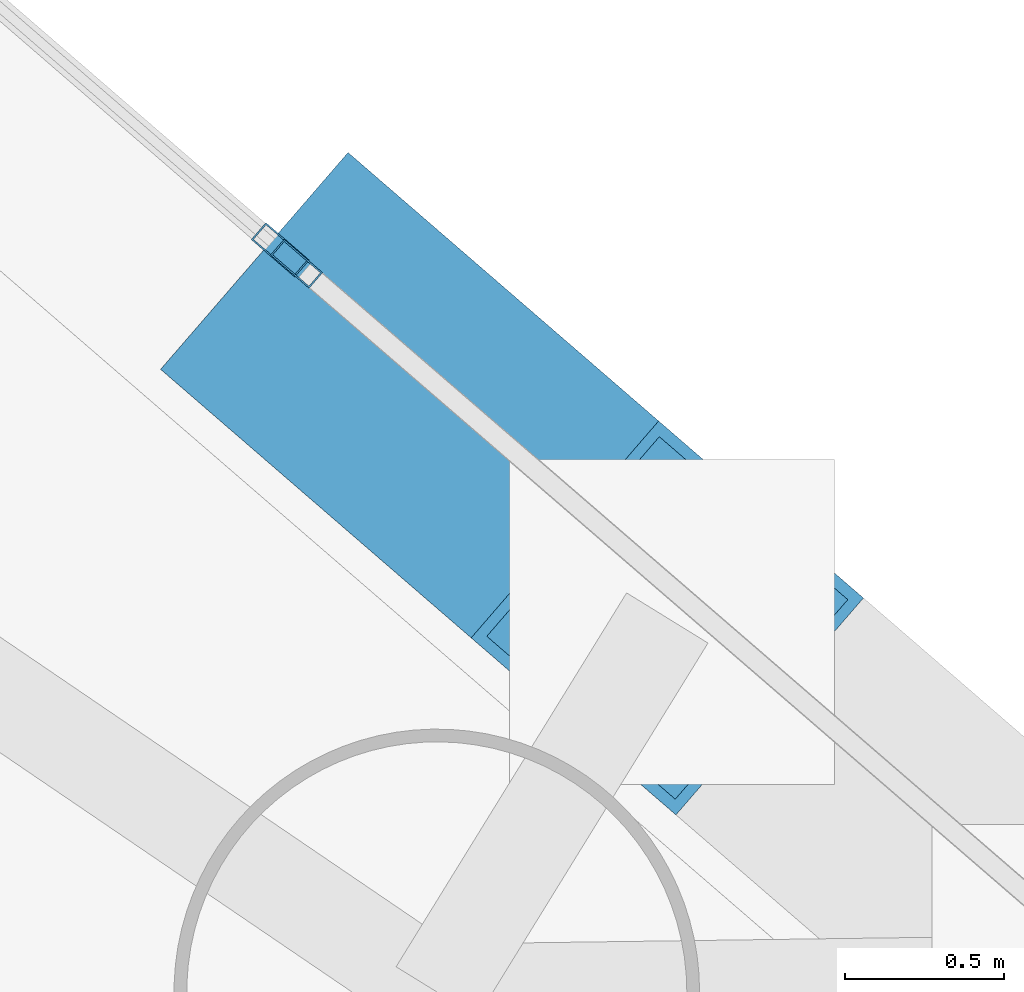
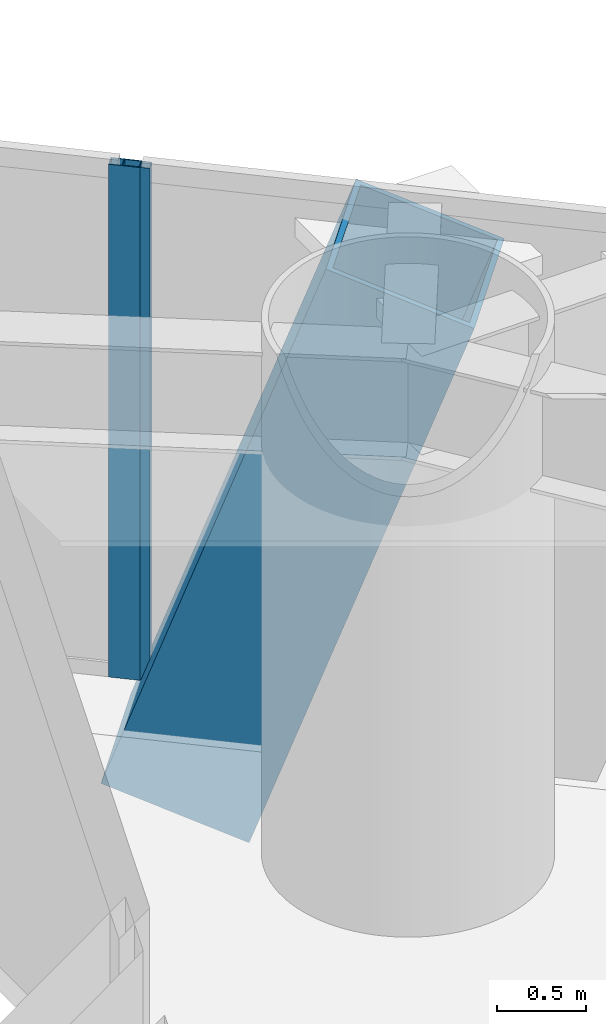
# One storey, part 12 of 23: 3 members, 2 elements without a shape of their own.
"""IFC4 building model written with IfcOpenShell, lengths in metres."""

import ifcopenshell
import ifcopenshell.guid

model = None  # the IFC model being written
_history = None  # IfcOwnerHistory: only IFC2X3 demands one
_inside = {}  # id of a spatial element -> (the spatial element, [elements in it])
_under = {}  # id of a project, library or spatial element -> (it, [spatial elements below it])
_declared = {}  # id of a project -> (the project, [libraries it declares])
_typed = {}  # id of a type object -> (the type object, [elements of that type])
_made_of = {}  # id of a material, layer set ... -> (it, [elements and type objects made of it])


def new_model(schema):
    """Start an empty IFC model of exactly this schema.

    Asked for "IFC4X3", IfcOpenShell would pick the latest addendum, in which some entities
    have other attributes; the version numbers below select the first issue.
    IFC2X3 requires an IfcOwnerHistory on every rooted entity: one is made here for all.
    """
    global model, _history
    if schema == "IFC4X3":
        model = ifcopenshell.file(schema_version=(4, 3, 0, 0))
    else:
        model = ifcopenshell.file(schema=schema)
    _inside.clear()
    _under.clear()
    _declared.clear()
    _typed.clear()
    _made_of.clear()
    _history = None
    if model.schema == "IFC2X3":
        org = make("IfcOrganization", Name="unknown")
        user = make(
            "IfcPersonAndOrganization",
            ThePerson=make("IfcPerson", FamilyName="unknown"),
            TheOrganization=org,
        )
        app = make(
            "IfcApplication",
            ApplicationDeveloper=org,
            Version="unknown",
            ApplicationFullName="unknown",
            ApplicationIdentifier="unknown",
        )
        _history = make(
            "IfcOwnerHistory",
            OwningUser=user,
            OwningApplication=app,
            ChangeAction="ADDED",
            CreationDate=0,
        )
    return model


def make(cls, **values):
    """One entity of the class cls with the attributes given. An attribute that is None is left unset."""
    return model.create_entity(
        cls, **{name: value for name, value in values.items() if value is not None}
    )


def rooted(cls, **values):
    """An entity with a GlobalId (a new one), such as an element, a storey or a relation."""
    return make(cls, GlobalId=ifcopenshell.guid.new(), OwnerHistory=_history, **values)


def si_unit(unit_type, name, prefix=None):
    """IfcSIUnit, for example si_unit("LENGTHUNIT", "METRE", prefix="MILLI")."""
    return make("IfcSIUnit", UnitType=unit_type, Prefix=prefix, Name=name)


def assignment(units):
    """IfcUnitAssignment: the units of a project."""
    return None if units is None else make("IfcUnitAssignment", Units=units)


def point(xyz):
    """IfcCartesianPoint."""
    return None if xyz is None else make("IfcCartesianPoint", Coordinates=xyz)


def direction(xyz):
    """IfcDirection."""
    return None if xyz is None else make("IfcDirection", DirectionRatios=xyz)


def frame(location, z_axis=None, x_axis=None):
    """IfcAxis2Placement3D, a coordinate frame: its origin and axes. An axis left out is left unset."""
    return make(
        "IfcAxis2Placement3D",
        Location=point(location),
        Axis=direction(z_axis),
        RefDirection=direction(x_axis),
    )


def frame_2d(location, x_axis=None):
    """IfcAxis2Placement2D, a coordinate frame in the plane: its origin and x axis."""
    return make(
        "IfcAxis2Placement2D", Location=point(location), RefDirection=direction(x_axis)
    )


def origin():
    """The frame at (0, 0, 0) with its axes left unset."""
    return frame((0.0, 0.0, 0.0))


def origin_2d():
    """The frame at (0, 0) in the plane with its x axis left unset."""
    return frame_2d((0.0, 0.0))


def place(relative_to, where):
    """IfcLocalPlacement: puts the frame where relative to a parent placement (None: the world)."""
    return make(
        "IfcLocalPlacement", PlacementRelTo=relative_to, RelativePlacement=where
    )


def context(
    kind, dimensions, precision=None, world=None, true_north=None, identifier=None
):
    """IfcGeometricRepresentationContext, for example the 3D "Model" context."""
    return make(
        "IfcGeometricRepresentationContext",
        ContextIdentifier=identifier,
        ContextType=kind,
        CoordinateSpaceDimension=dimensions,
        Precision=precision,
        WorldCoordinateSystem=world,
        TrueNorth=true_north,
    )


def subcontext(parent, identifier, kind, view, scale=None):
    """IfcGeometricRepresentationSubContext, for example "Body" below "Model"."""
    return make(
        "IfcGeometricRepresentationSubContext",
        ContextIdentifier=identifier,
        ContextType=kind,
        ParentContext=parent,
        TargetScale=scale,
        TargetView=view,
    )


def project(units=None, contexts=None):
    """IfcProject with its units and contexts."""
    return rooted(
        "IfcProject",
        Name="project",
        RepresentationContexts=contexts,
        UnitsInContext=assignment(units),
    )


def spatial(cls, under=None, at=None, **own):
    """A site, building, storey or space (cls), placed at a placement, below another one or the project."""
    s = rooted(cls, ObjectPlacement=at, **own)
    if under is not None:
        _under.setdefault(under.id(), (under, []))[1].append(s)
    return s


def profile(cls, at=None, kind="AREA", **sizes):
    """A parametric profile (cls). Its sizes go by their IFC names, for example OverallWidth=200.0."""
    return make(cls, ProfileType=kind, Position=at, **sizes)


def hollow_rectangle(**sizes):
    """IfcRectangleHollowProfileDef."""
    return profile("IfcRectangleHollowProfileDef", **sizes)


def extrude(swept, where, along, depth):
    """IfcExtrudedAreaSolid: the profile swept, set in the frame where, extruded along a direction by depth."""
    return make(
        "IfcExtrudedAreaSolid",
        SweptArea=swept,
        Position=where,
        ExtrudedDirection=direction(along),
        Depth=depth,
    )


def shape(context_of_items, identifier, shape_type, items):
    """IfcShapeRepresentation: the items that make up one representation, for example the "Body"."""
    return make(
        "IfcShapeRepresentation",
        ContextOfItems=context_of_items,
        RepresentationIdentifier=identifier,
        RepresentationType=shape_type,
        Items=items,
    )


def material(Name=None, Category=None):
    """IfcMaterial."""
    return make("IfcMaterial", Name=Name, Category=Category)


def layer(
    of_material, thickness, ventilated=None, Name=None, Category=None, Priority=None
):
    """IfcMaterialLayer: one layer of a wall or slab, of a material (None: an air gap)."""
    return make(
        "IfcMaterialLayer",
        Material=of_material,
        LayerThickness=thickness,
        IsVentilated=ventilated,
        Name=Name,
        Category=Category,
        Priority=Priority,
    )


def layer_set(layers, Name=None):
    """IfcMaterialLayerSet."""
    return make("IfcMaterialLayerSet", MaterialLayers=layers, LayerSetName=Name)


def material_profile(
    of_material, cross_section, Name=None, Category=None, Priority=None
):
    """IfcMaterialProfile: a cross section and its material."""
    return make(
        "IfcMaterialProfile",
        Name=Name,
        Material=of_material,
        Profile=cross_section,
        Priority=Priority,
        Category=Category,
    )


def profile_set(profiles, Name=None, composite=None):
    """IfcMaterialProfileSet."""
    return make(
        "IfcMaterialProfileSet",
        Name=Name,
        MaterialProfiles=profiles,
        CompositeProfile=composite,
    )


def made_of(thing, what):
    """Note that an element or type object is made of a material, layer set ...; save() writes the relation."""
    if what is not None:
        _made_of.setdefault(what.id(), (what, []))[1].append(thing)
    return thing


def type_object(cls, material=None, **own):
    """A type object (cls), such as IfcWallType, which elements share."""
    return made_of(rooted(cls, **own), material)


def element(
    cls,
    number,
    at=None,
    inside=None,
    cuts=None,
    type_object=None,
    material=None,
    context=None,
    identifier="Body",
    shape_type=None,
    held_by="IfcProductDefinitionShape",
    body=None,
    shapes=None,
    **own,
):
    """One element of the class cls, such as IfcWall. Its Tag is "e" and its number.

    at: its placement. inside: the storey or other place that contains it. cuts: it is an
    opening in that element (IfcRelVoidsElement). A single representation is given by context,
    identifier, shape_type and body (its items); several are given by shapes. held_by: the class
    of the entity that holds the representations. save() writes the other relations.
    """
    e = rooted(cls, Tag="e%d" % number, ObjectPlacement=at, **own)
    if body is not None:
        shapes = [shape(context, identifier, shape_type, body)]
    if shapes is not None:
        e.Representation = make(held_by, Representations=shapes)
    if inside is not None:
        _inside.setdefault(inside.id(), (inside, []))[1].append(e)
    if cuts is not None:
        rooted(
            "IfcRelVoidsElement", RelatingBuildingElement=cuts, RelatedOpeningElement=e
        )
    if type_object is not None:
        _typed.setdefault(type_object.id(), (type_object, []))[1].append(e)
    return made_of(e, material)


def aggregate(whole, parts):
    """IfcRelAggregates: a whole, such as a stair, and the parts it consists of."""
    return rooted("IfcRelAggregates", RelatingObject=whole, RelatedObjects=parts)


def save(model, path):
    """Write the relations noted so far, then the file.

    IfcRelAggregates (storeys below a building ...), IfcRelContainedInSpatialStructure (elements
    in a storey), IfcRelDefinesByType, IfcRelAssociatesMaterial and IfcRelDeclares: one each for
    every whole, place, type object, material and project.
    """
    for whole, parts in _under.values():
        aggregate(whole, parts)
    for where, things in _inside.values():
        rooted(
            "IfcRelContainedInSpatialStructure",
            RelatedElements=things,
            RelatingStructure=where,
        )
    for kind, things in _typed.values():
        rooted("IfcRelDefinesByType", RelatedObjects=things, RelatingType=kind)
    for what, things in _made_of.values():
        rooted("IfcRelAssociatesMaterial", RelatedObjects=things, RelatingMaterial=what)
    for by, libraries in _declared.values():
        rooted("IfcRelDeclares", RelatingContext=by, RelatedDefinitions=libraries)
    model.write(path)


model = new_model("IFC4")

# Units and contexts
model_context = context("Model", 3, precision=1e-05, world=origin(), true_north=direction((0.0, 1.0)))
body_context = subcontext(model_context, "Body", "Model", "MODEL_VIEW")
ifc_project = project(units=[si_unit("LENGTHUNIT", "METRE"), si_unit("AREAUNIT", "SQUARE_METRE"), si_unit("VOLUMEUNIT", "CUBIC_METRE"), si_unit("PLANEANGLEUNIT", "RADIAN"), si_unit("MASSUNIT", "GRAM", prefix="KILO")], contexts=[model_context])

# Site, building, storey
site_placement = place(None, origin())
site = spatial("IfcSite", under=ifc_project, at=site_placement, CompositionType="ELEMENT")
building_placement = place(site_placement, origin())
building = spatial("IfcBuilding", under=site, at=building_placement, Name="Qianvela Tower", CompositionType="ELEMENT")
storey_placement = place(building_placement, frame((0.0, 0.0, 74.699951171875)))
storey = spatial("IfcBuildingStorey", under=building, at=storey_placement, Name="L18", CompositionType="ELEMENT", Elevation=74.699951171875)

# Curtain wall, member
ifc_material_1 = material(Name="Anodised Architectural Aluminium and Insulated Spandrel Panel", Category="aluminium")
ifc_layer_1 = layer(ifc_material_1, 0.179931640625)
ifc_layer_set_1 = layer_set([ifc_layer_1], Name="Anodised Architectural Aluminium and Insulated Spandrel Panel")
curtain_wall_type_1 = type_object("IfcCurtainWallType", Name="CW-BRACEBAY", PredefinedType="USERDEFINED", material=ifc_layer_set_1)
curtain_wall_1_placement = place(storey_placement, origin())
curtain_wall_1 = element("IfcCurtainWall", 1, at=curtain_wall_1_placement, inside=storey, type_object=curtain_wall_type_1, Name="L18 CW-BRACEBAY Curtain Wall 02B", ObjectType="CURTAIN_WALL_SYSTEM", PredefinedType="USERDEFINED")
ifc_material_2 = material(Name="Anodised Architectural Aluminium 6063-T6", Category="aluminium")
ifc_material_profile_1 = material_profile(ifc_material_2, hollow_rectangle(XDim=0.06494140625, YDim=0.159912109375, WallThickness=0.0048828125, at=origin_2d()), Name="ALU-MULL-65x160")
ifc_profile_set_1 = profile_set([ifc_material_profile_1], Name="Anodised Architectural Aluminium 6063-T6")
member_type_1 = type_object("IfcMemberType", Name="CW-BRACEBAY-MULL", PredefinedType="MULLION", material=ifc_profile_set_1)
member_1_placement = place(storey_placement, frame((45.543701171875, 36.342529296875, 0.0), z_axis=(0.0, 0.0, 1.0), x_axis=(-0.653854630962, -0.756620196379, 0.0)))
member_1 = element("IfcMember", 2, at=member_1_placement, type_object=member_type_1, Name="CW-9 mullion 2", PredefinedType="MULLION", context=body_context, shape_type="SweptSolid", body=[
    extrude(hollow_rectangle(XDim=0.06494140625, YDim=0.159912109375, WallThickness=0.0048828125, at=origin_2d()), origin(), (0.0, 0.0, 1.0), 3.52001953125),
])
aggregate(curtain_wall_1, [member_1])

ifc_material_3 = material(Name="Anodised Architectural Aluminium and Low-E Glass", Category="aluminium")
ifc_layer_2 = layer(ifc_material_3, 0.179931640625)
ifc_layer_set_2 = layer_set([ifc_layer_2], Name="Anodised Architectural Aluminium and Low-E Glass")
curtain_wall_type_2 = type_object("IfcCurtainWallType", Name="CW-COLIV-Z12", PredefinedType="USERDEFINED", material=ifc_layer_set_2)
curtain_wall_2_placement = place(storey_placement, origin())
curtain_wall_2 = element("IfcCurtainWall", 3, at=curtain_wall_2_placement, inside=storey, type_object=curtain_wall_type_2, Name="L18 CW-COLIV-Z12 Curtain Wall 02C", ObjectType="CURTAIN_WALL_SYSTEM", PredefinedType="USERDEFINED")
ifc_material_4 = material(Name="Anodised Architectural Aluminium 6063-T6", Category="aluminium")
ifc_material_profile_2 = material_profile(ifc_material_4, hollow_rectangle(XDim=0.070068359375, YDim=0.179931640625, WallThickness=0.0048828125, at=origin_2d()), Name="ALU-MULL-70x180")
ifc_profile_set_2 = profile_set([ifc_material_profile_2], Name="Anodised Architectural Aluminium 6063-T6")
member_type_2 = type_object("IfcMemberType", Name="CW-COLIV-Z12-MULL", PredefinedType="MULLION", material=ifc_profile_set_2)
member_2_placement = place(storey_placement, frame((45.492431640625, 36.386474609375, 0.0), z_axis=(0.0, 0.0, 1.0), x_axis=(-0.653856295569, -0.75661875786, 0.0)))
member_2 = element("IfcMember", 4, at=member_2_placement, type_object=member_type_2, Name="CW-3 mullion 1", PredefinedType="MULLION", context=body_context, shape_type="SweptSolid", body=[
    extrude(hollow_rectangle(XDim=0.070068359375, YDim=0.179931640625, WallThickness=0.0048828125, at=origin_2d()), origin(), (0.0, 0.0, 1.0), 3.52001953125),
])
aggregate(curtain_wall_2, [member_2])

# Member
ifc_material_5 = material(Name="Steel Q420GJC", Category="steel")
ifc_material_profile_3 = material_profile(ifc_material_5, hollow_rectangle(XDim=0.89990234375, YDim=0.89990234375, WallThickness=0.035888671875, at=origin_2d()), Name="MBOX-900x900x36")
ifc_profile_set_3 = profile_set([ifc_material_profile_3], Name="Steel Q420GJC")
member_type_3 = type_object("IfcMemberType", Name="MBR-MBRACE-900", PredefinedType="BRACE", material=ifc_profile_set_3)
member_3_placement = place(storey_placement, frame((45.732421875, 36.07373046875, -0.531982421875), z_axis=(0.248873066445, -0.215162418236, 0.944334331991), x_axis=(0.65401428119, 0.756482200716, 0.0)))
element("IfcMember", 5, at=member_3_placement, inside=storey, type_object=member_type_3, Name="L18 Tier 3 Exterior Mega-Brace F1B", PredefinedType="BRACE", context=body_context, shape_type="SweptSolid", body=[
    extrude(hollow_rectangle(XDim=0.89990234375, YDim=0.89990234375, WallThickness=0.035888671875, at=origin_2d()), origin(), (0.0, 0.0, 1.0), 3.91796875),
])

save(model, "model.ifc")
